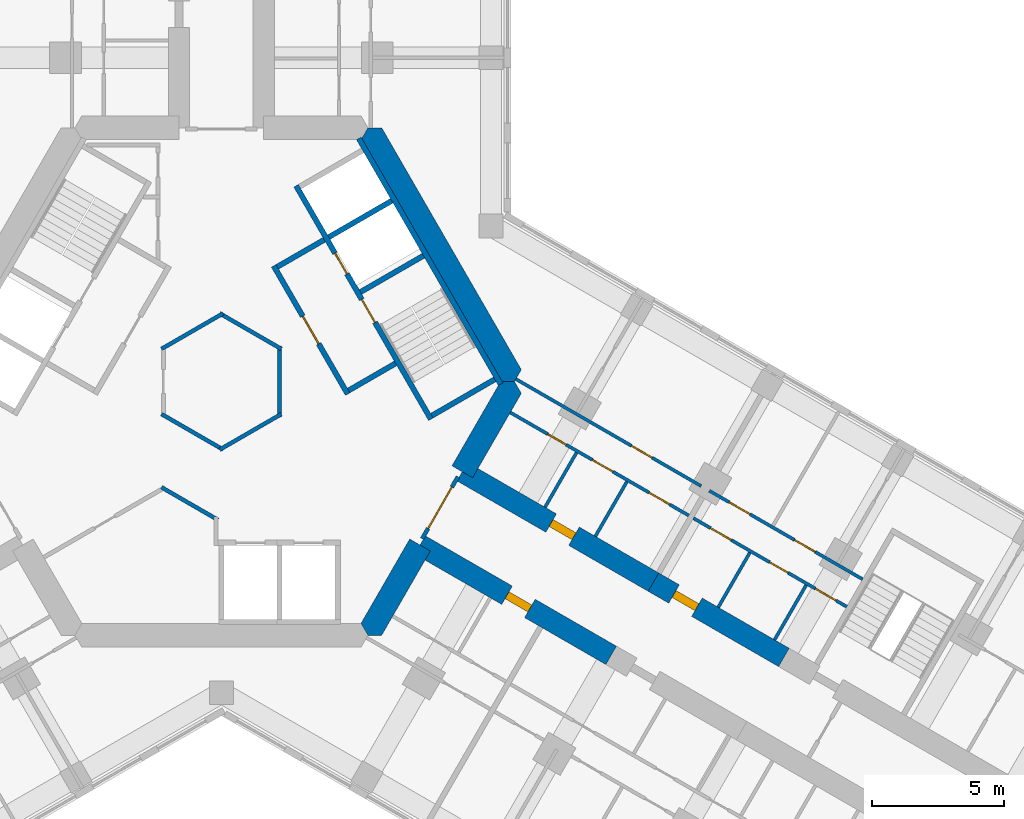
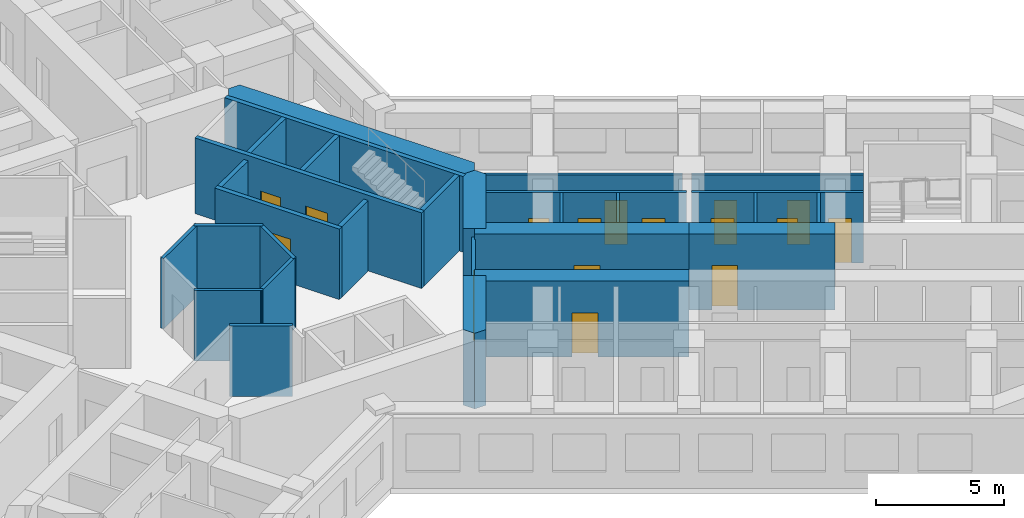
# One storey, part 15 of 19: 29 walls, 16 doors, 16 openings.
"""IFC4 building model written with IfcOpenShell, lengths in metres."""

import ifcopenshell
import ifcopenshell.guid

model = None  # the IFC model being written
_history = None  # IfcOwnerHistory: only IFC2X3 demands one
_inside = {}  # id of a spatial element -> (the spatial element, [elements in it])
_under = {}  # id of a project, library or spatial element -> (it, [spatial elements below it])
_declared = {}  # id of a project -> (the project, [libraries it declares])
_typed = {}  # id of a type object -> (the type object, [elements of that type])
_made_of = {}  # id of a material, layer set ... -> (it, [elements and type objects made of it])


def new_model(schema):
    """Start an empty IFC model of exactly this schema.

    Asked for "IFC4X3", IfcOpenShell would pick the latest addendum, in which some entities
    have other attributes; the version numbers below select the first issue.
    IFC2X3 requires an IfcOwnerHistory on every rooted entity: one is made here for all.
    """
    global model, _history
    if schema == "IFC4X3":
        model = ifcopenshell.file(schema_version=(4, 3, 0, 0))
    else:
        model = ifcopenshell.file(schema=schema)
    _inside.clear()
    _under.clear()
    _declared.clear()
    _typed.clear()
    _made_of.clear()
    _history = None
    if model.schema == "IFC2X3":
        org = make("IfcOrganization", Name="unknown")
        user = make(
            "IfcPersonAndOrganization",
            ThePerson=make("IfcPerson", FamilyName="unknown"),
            TheOrganization=org,
        )
        app = make(
            "IfcApplication",
            ApplicationDeveloper=org,
            Version="unknown",
            ApplicationFullName="unknown",
            ApplicationIdentifier="unknown",
        )
        _history = make(
            "IfcOwnerHistory",
            OwningUser=user,
            OwningApplication=app,
            ChangeAction="ADDED",
            CreationDate=0,
        )
    return model


def make(cls, **values):
    """One entity of the class cls with the attributes given. An attribute that is None is left unset."""
    return model.create_entity(
        cls, **{name: value for name, value in values.items() if value is not None}
    )


def rooted(cls, **values):
    """An entity with a GlobalId (a new one), such as an element, a storey or a relation."""
    return make(cls, GlobalId=ifcopenshell.guid.new(), OwnerHistory=_history, **values)


def si_unit(unit_type, name, prefix=None):
    """IfcSIUnit, for example si_unit("LENGTHUNIT", "METRE", prefix="MILLI")."""
    return make("IfcSIUnit", UnitType=unit_type, Prefix=prefix, Name=name)


def assignment(units):
    """IfcUnitAssignment: the units of a project."""
    return None if units is None else make("IfcUnitAssignment", Units=units)


def point(xyz):
    """IfcCartesianPoint."""
    return None if xyz is None else make("IfcCartesianPoint", Coordinates=xyz)


def direction(xyz):
    """IfcDirection."""
    return None if xyz is None else make("IfcDirection", DirectionRatios=xyz)


def frame(location, z_axis=None, x_axis=None):
    """IfcAxis2Placement3D, a coordinate frame: its origin and axes. An axis left out is left unset."""
    return make(
        "IfcAxis2Placement3D",
        Location=point(location),
        Axis=direction(z_axis),
        RefDirection=direction(x_axis),
    )


def frame_2d(location, x_axis=None):
    """IfcAxis2Placement2D, a coordinate frame in the plane: its origin and x axis."""
    return make(
        "IfcAxis2Placement2D", Location=point(location), RefDirection=direction(x_axis)
    )


def origin():
    """The frame at (0, 0, 0) with its axes left unset."""
    return frame((0.0, 0.0, 0.0))


def place(relative_to, where):
    """IfcLocalPlacement: puts the frame where relative to a parent placement (None: the world)."""
    return make(
        "IfcLocalPlacement", PlacementRelTo=relative_to, RelativePlacement=where
    )


def context(
    kind, dimensions, precision=None, world=None, true_north=None, identifier=None
):
    """IfcGeometricRepresentationContext, for example the 3D "Model" context."""
    return make(
        "IfcGeometricRepresentationContext",
        ContextIdentifier=identifier,
        ContextType=kind,
        CoordinateSpaceDimension=dimensions,
        Precision=precision,
        WorldCoordinateSystem=world,
        TrueNorth=true_north,
    )


def subcontext(parent, identifier, kind, view, scale=None):
    """IfcGeometricRepresentationSubContext, for example "Body" below "Model"."""
    return make(
        "IfcGeometricRepresentationSubContext",
        ContextIdentifier=identifier,
        ContextType=kind,
        ParentContext=parent,
        TargetScale=scale,
        TargetView=view,
    )


def project(units=None, contexts=None):
    """IfcProject with its units and contexts."""
    return rooted(
        "IfcProject",
        Name="project",
        RepresentationContexts=contexts,
        UnitsInContext=assignment(units),
    )


def spatial(cls, under=None, at=None, **own):
    """A site, building, storey or space (cls), placed at a placement, below another one or the project."""
    s = rooted(cls, ObjectPlacement=at, **own)
    if under is not None:
        _under.setdefault(under.id(), (under, []))[1].append(s)
    return s


def polyline(points):
    """IfcPolyline through the points."""
    return make("IfcPolyline", Points=[point(p) for p in points])


def profile(cls, at=None, kind="AREA", **sizes):
    """A parametric profile (cls). Its sizes go by their IFC names, for example OverallWidth=200.0."""
    return make(cls, ProfileType=kind, Position=at, **sizes)


def rectangle(**sizes):
    """IfcRectangleProfileDef."""
    return profile("IfcRectangleProfileDef", **sizes)


def outline(outer, holes=None, kind="AREA"):
    """IfcArbitraryClosedProfileDef: a profile drawn as a closed curve; with holes, ...WithVoids."""
    if holes is None:
        return make("IfcArbitraryClosedProfileDef", ProfileType=kind, OuterCurve=outer)
    return make(
        "IfcArbitraryProfileDefWithVoids",
        ProfileType=kind,
        OuterCurve=outer,
        InnerCurves=holes,
    )


def extrude(swept, where, along, depth):
    """IfcExtrudedAreaSolid: the profile swept, set in the frame where, extruded along a direction by depth."""
    return make(
        "IfcExtrudedAreaSolid",
        SweptArea=swept,
        Position=where,
        ExtrudedDirection=direction(along),
        Depth=depth,
    )


def shape(context_of_items, identifier, shape_type, items):
    """IfcShapeRepresentation: the items that make up one representation, for example the "Body"."""
    return make(
        "IfcShapeRepresentation",
        ContextOfItems=context_of_items,
        RepresentationIdentifier=identifier,
        RepresentationType=shape_type,
        Items=items,
    )


def material(Name=None, Category=None):
    """IfcMaterial."""
    return make("IfcMaterial", Name=Name, Category=Category)


def layer(
    of_material, thickness, ventilated=None, Name=None, Category=None, Priority=None
):
    """IfcMaterialLayer: one layer of a wall or slab, of a material (None: an air gap)."""
    return make(
        "IfcMaterialLayer",
        Material=of_material,
        LayerThickness=thickness,
        IsVentilated=ventilated,
        Name=Name,
        Category=Category,
        Priority=Priority,
    )


def layer_set(layers, Name=None):
    """IfcMaterialLayerSet."""
    return make("IfcMaterialLayerSet", MaterialLayers=layers, LayerSetName=Name)


def made_of(thing, what):
    """Note that an element or type object is made of a material, layer set ...; save() writes the relation."""
    if what is not None:
        _made_of.setdefault(what.id(), (what, []))[1].append(thing)
    return thing


def type_object(cls, material=None, **own):
    """A type object (cls), such as IfcWallType, which elements share."""
    return made_of(rooted(cls, **own), material)


def element(
    cls,
    number,
    at=None,
    inside=None,
    cuts=None,
    type_object=None,
    material=None,
    context=None,
    identifier="Body",
    shape_type=None,
    held_by="IfcProductDefinitionShape",
    body=None,
    shapes=None,
    **own,
):
    """One element of the class cls, such as IfcWall. Its Tag is "e" and its number.

    at: its placement. inside: the storey or other place that contains it. cuts: it is an
    opening in that element (IfcRelVoidsElement). A single representation is given by context,
    identifier, shape_type and body (its items); several are given by shapes. held_by: the class
    of the entity that holds the representations. save() writes the other relations.
    """
    e = rooted(cls, Tag="e%d" % number, ObjectPlacement=at, **own)
    if body is not None:
        shapes = [shape(context, identifier, shape_type, body)]
    if shapes is not None:
        e.Representation = make(held_by, Representations=shapes)
    if inside is not None:
        _inside.setdefault(inside.id(), (inside, []))[1].append(e)
    if cuts is not None:
        rooted(
            "IfcRelVoidsElement", RelatingBuildingElement=cuts, RelatedOpeningElement=e
        )
    if type_object is not None:
        _typed.setdefault(type_object.id(), (type_object, []))[1].append(e)
    return made_of(e, material)


def fill(opening, filler):
    """IfcRelFillsElement: the door or window that sits in an opening."""
    return rooted(
        "IfcRelFillsElement",
        RelatingOpeningElement=opening,
        RelatedBuildingElement=filler,
    )


def aggregate(whole, parts):
    """IfcRelAggregates: a whole, such as a stair, and the parts it consists of."""
    return rooted("IfcRelAggregates", RelatingObject=whole, RelatedObjects=parts)


def save(model, path):
    """Write the relations noted so far, then the file.

    IfcRelAggregates (storeys below a building ...), IfcRelContainedInSpatialStructure (elements
    in a storey), IfcRelDefinesByType, IfcRelAssociatesMaterial and IfcRelDeclares: one each for
    every whole, place, type object, material and project.
    """
    for whole, parts in _under.values():
        aggregate(whole, parts)
    for where, things in _inside.values():
        rooted(
            "IfcRelContainedInSpatialStructure",
            RelatedElements=things,
            RelatingStructure=where,
        )
    for kind, things in _typed.values():
        rooted("IfcRelDefinesByType", RelatedObjects=things, RelatingType=kind)
    for what, things in _made_of.values():
        rooted("IfcRelAssociatesMaterial", RelatedObjects=things, RelatingMaterial=what)
    for by, libraries in _declared.values():
        rooted("IfcRelDeclares", RelatingContext=by, RelatedDefinitions=libraries)
    model.write(path)


model = new_model("IFC4")

# Units and contexts
model_context = context("Model", 3, precision=1e-05, world=origin(), true_north=direction((0.0, 1.0)))
body_context = subcontext(model_context, "Body", "Model", "MODEL_VIEW")
ifc_project = project(units=[si_unit("LENGTHUNIT", "METRE"), si_unit("AREAUNIT", "SQUARE_METRE"), si_unit("VOLUMEUNIT", "CUBIC_METRE"), si_unit("PLANEANGLEUNIT", "RADIAN"), si_unit("MASSUNIT", "GRAM", prefix="KILO")], contexts=[model_context])

# Site, building, storey
site_placement = place(None, origin())
site = spatial("IfcSite", under=ifc_project, at=site_placement, CompositionType="ELEMENT")
building_placement = place(site_placement, origin())
building = spatial("IfcBuilding", under=site, at=building_placement, Name="Kosmar Iwan School Tower", CompositionType="ELEMENT")
storey_placement = place(building_placement, frame((0.0, 0.0, 161.60009765625)))
storey = spatial("IfcBuildingStorey", under=building, at=storey_placement, Name="L40", CompositionType="ELEMENT", Elevation=161.60009765625)

# Walls
ifc_material_1 = material(Name="Gypsum board on steel studs, fire-rated", Category="steel")
ifc_layer_1 = layer(ifc_material_1, 0.14990234375)
ifc_layer_set_1 = layer_set([ifc_layer_1], Name="Core room partition 150")
wall_type_1 = type_object("IfcWallType", Name="Core room partition 150", PredefinedType="PARTITIONING", material=ifc_layer_set_1)
wall_1_placement = place(storey_placement, frame((-2.264892578125, -4.00390625, 0.0), z_axis=(0.0, 0.0, 1.0), x_axis=(0.866016967894, -0.500014611105, 0.0)))
element("IfcWall", 1, at=wall_1_placement, inside=storey, type_object=wall_type_1, Name="Core room partition L40-CW6", PredefinedType="PARTITIONING", context=body_context, shape_type="SweptSolid", body=[
    extrude(rectangle(XDim=2.45947265625, YDim=0.14990234375, at=frame_2d((1.229736328125, 0.0))), origin(), (0.0, 0.0, 1.0), 3.349853515625),
])
for number, where, z_axis, x_axis, name in (
    (2, (2.264892578125, -1.232666015625, 0.0), (0.0, 0.0, 1.0), (-0.866011792348, -0.500023574959, 0.0), "Core room partition L40-CW8"),
    (3, (0.06494140625, -2.577880859375, 0.0), (0.0, 0.0, 1.0), (-0.866011792348, 0.500023574959, 0.0), "Core room partition L40-CW9"),
    (4, (-2.264892578125, 1.232666015625, 0.0), (0.0, 0.0, 1.0), (0.866011792348, 0.500023574959, 0.0), "Core room partition L40-CW11"),
    (5, (-0.06494140625, 2.577880859375, 0.0), (0.0, 0.0, 1.0), (0.866011792348, -0.500023574959, 0.0), "Core room partition L40-CW12"),
):
    element("IfcWall", number, at=place(storey_placement, frame(where, z_axis=z_axis, x_axis=x_axis)), inside=storey, type_object=wall_type_1, Name=name, PredefinedType="PARTITIONING", context=body_context, shape_type="SweptSolid", body=[
        extrude(rectangle(XDim=2.690185546875, YDim=0.14990234375, at=frame_2d((1.34521484375, 0.0))), origin(), (0.0, 0.0, 1.0), 3.349853515625),
    ])
wall_2_placement = place(storey_placement, frame((2.199951171875, 1.34521484375, 0.0), z_axis=(0.0, 0.0, 1.0), x_axis=(0.0, -1.0, 0.0)))
element("IfcWall", 6, at=wall_2_placement, inside=storey, type_object=wall_type_1, Name="Core room partition L40-CW13", PredefinedType="PARTITIONING", context=body_context, shape_type="SweptSolid", body=[
    extrude(rectangle(XDim=2.6904296875, YDim=0.14990234375, at=frame_2d((1.34521484375, 0.0))), origin(), (0.0, 0.0, 1.0), 3.349853515625),
])
ifc_material_2 = material(Name="Concrete C50/60", Category="concrete")
ifc_layer_2 = layer(ifc_material_2, 0.89990234375)
ifc_layer_set_2 = layer_set([ifc_layer_2], Name="Core wall 900")
wall_type_2 = type_object("IfcWallType", Name="Core wall 900", PredefinedType="SHEAR", material=ifc_layer_set_2)
wall_3_placement = place(storey_placement, origin())
element("IfcWall", 7, at=wall_3_placement, inside=storey, type_object=wall_type_2, Name="Core wall F030", PredefinedType="SHEAR", context=body_context, shape_type="SweptSolid", body=[
    extrude(outline(polyline([(10.5654296875, 0.0), (11.085205078125, 0.0), (11.344970703125, 0.449951171875), (6.062255859375, 9.60009765625), (5.54248046875, 9.60009765625), (5.28271484375, 9.14990234375), (10.5654296875, 0.0)])), origin(), (0.0, 0.0, 1.0), 3.599853515625),
])
wall_4_placement = place(storey_placement, origin())
element("IfcWall", 8, at=wall_4_placement, inside=storey, type_object=wall_type_2, Name="Core wall F330a", PredefinedType="SHEAR", context=body_context, shape_type="SweptSolid", body=[
    extrude(outline(polyline([(5.54248046875, -9.60009765625), (6.062255859375, -9.60009765625), (7.903564453125, -6.41064453125), (7.1240234375, -5.960693359375), (5.28271484375, -9.14990234375), (5.54248046875, -9.60009765625)])), origin(), (0.0, 0.0, 1.0), 3.599853515625),
])
wall_5_placement = place(storey_placement, origin())
element("IfcWall", 9, at=wall_5_placement, inside=storey, type_object=wall_type_2, Name="Core wall F330b", PredefinedType="SHEAR", context=body_context, shape_type="SweptSolid", body=[
    extrude(outline(polyline([(9.503662109375, -3.639404296875), (11.344970703125, -0.449951171875), (11.085205078125, 0.0), (10.5654296875, 0.0), (8.72412109375, -3.189453125), (9.503662109375, -3.639404296875)])), origin(), (0.0, 0.0, 1.0), 3.599853515625),
])

# Wall, opening, door
ifc_material_3 = material(Name="Concrete C50/60", Category="concrete")
ifc_layer_3 = layer(ifc_material_3, 0.800048828125)
ifc_layer_set_3 = layer_set([ifc_layer_3], Name="Corridor buttress wall 800")
wall_type_3 = type_object("IfcWallType", Name="Corridor buttress wall 800", PredefinedType="SHEAR", material=ifc_layer_set_3)
wall_6_placement = place(storey_placement, frame((9.11376953125, -3.414306640625, 0.0), z_axis=(0.0, 0.0, 1.0), x_axis=(0.866026859388, -0.499997478812, 0.0)))
wall_6 = element("IfcWall", 10, at=wall_6_placement, inside=storey, type_object=wall_type_3, Name="Corridor wall CL", PredefinedType="SHEAR", context=body_context, shape_type="SweptSolid", body=[
    extrude(rectangle(XDim=8.35009765625, YDim=0.800048828125, at=frame_2d((4.175048828125, 0.0))), origin(), (0.0, 0.0, 1.0), 3.599853515625),
])
opening_1_placement = place(wall_6_placement, frame((3.8798828125, 0.0, 0.0)))
opening_1 = element("IfcOpeningElement", 11, at=opening_1_placement, cuts=wall_6, Name="Opening D1", PredefinedType="OPENING", context=body_context, shape_type="SweptSolid", body=[
    extrude(rectangle(XDim=1.0, YDim=2.10009765625, at=frame_2d((0.5, 1.050048828125))), frame((0.0, 0.412109375, 0.0), z_axis=(0.0, -1.0, 0.0), x_axis=(1.0, 0.0, 0.0)), (0.0, 0.0, 1.0), 0.823974609375),
])
ifc_material_4 = material(Name="Timber fire door in steel frame", Category="steel")
door_type_1 = type_object("IfcDoorType", Name="Flat entrance door 1000x2100", OperationType="SINGLE_SWING_LEFT", PredefinedType="DOOR", material=ifc_material_4)
door_1_placement = place(opening_1_placement, origin())
door_1 = element("IfcDoor", 12, at=door_1_placement, inside=storey, type_object=door_type_1, Name="Flat L40-CL1 entrance door", OperationType="SINGLE_SWING_LEFT", OverallHeight=2.10009765625, OverallWidth=1.0, PredefinedType="DOOR", context=body_context, shape_type="SweptSolid", body=[
    extrude(rectangle(XDim=1.0, YDim=2.10009765625, at=frame_2d((0.5, 1.050048828125))), frame((0.0, 0.14990234375, 0.0), z_axis=(0.0, -1.0, 0.0), x_axis=(1.0, 0.0, 0.0)), (0.0, 0.0, 1.0), 0.300048828125),
])
fill(opening_1, door_1)

wall_7_placement = place(storey_placement, frame((16.34521484375, -7.58935546875, 0.0), z_axis=(0.0, 0.0, 1.0), x_axis=(0.866015111908, -0.50001782563, 0.0)))
wall_7 = element("IfcWall", 13, at=wall_7_placement, inside=storey, type_object=wall_type_3, Name="Corridor wall CL bay 2", PredefinedType="SHEAR", context=body_context, shape_type="SweptSolid", body=[
    extrude(rectangle(XDim=5.699951171875, YDim=0.800048828125, at=frame_2d((2.85009765625, 0.0))), origin(), (0.0, 0.0, 1.0), 3.599853515625),
])
opening_2_placement = place(wall_7_placement, frame((0.89990234375, 0.0, 0.0)))
opening_2 = element("IfcOpeningElement", 14, at=opening_2_placement, cuts=wall_7, Name="Opening D1", PredefinedType="OPENING", context=body_context, shape_type="SweptSolid", body=[
    extrude(rectangle(XDim=1.0, YDim=2.10009765625, at=frame_2d((0.5, 1.050048828125))), frame((0.0, 0.412109375, 0.0), z_axis=(0.0, -1.0, 0.0), x_axis=(1.0, 0.0, 0.0)), (0.0, 0.0, 1.0), 0.823974609375),
])
door_2_placement = place(opening_2_placement, origin())
door_2 = element("IfcDoor", 15, at=door_2_placement, inside=storey, type_object=door_type_1, Name="Flat L40-CL2 entrance door", OperationType="SINGLE_SWING_RIGHT", OverallHeight=2.10009765625, OverallWidth=1.0, PredefinedType="DOOR", context=body_context, shape_type="SweptSolid", body=[
    extrude(rectangle(XDim=1.0, YDim=2.10009765625, at=frame_2d((0.5, 1.050048828125))), frame((0.0, 0.14990234375, 0.0), z_axis=(0.0, -1.0, 0.0), x_axis=(1.0, 0.0, 0.0)), (0.0, 0.0, 1.0), 0.300048828125),
])
fill(opening_2, door_2)

wall_8_placement = place(storey_placement, frame((7.513916015625, -6.185546875, 0.0), z_axis=(0.0, 0.0, 1.0), x_axis=(0.866019549707, -0.500010139422, 0.0)))
wall_8 = element("IfcWall", 16, at=wall_8_placement, inside=storey, type_object=wall_type_3, Name="Corridor wall CR", PredefinedType="SHEAR", context=body_context, shape_type="SweptSolid", body=[
    extrude(rectangle(XDim=8.349853515625, YDim=0.800048828125, at=frame_2d((4.1748046875, 0.0))), origin(), (0.0, 0.0, 1.0), 3.599853515625),
])
opening_3_placement = place(wall_8_placement, frame((3.800048828125, 0.0, 0.0)))
opening_3 = element("IfcOpeningElement", 17, at=opening_3_placement, cuts=wall_8, Name="Opening D1", PredefinedType="OPENING", context=body_context, shape_type="SweptSolid", body=[
    extrude(rectangle(XDim=1.0, YDim=2.10009765625, at=frame_2d((0.5, 1.050048828125))), frame((0.0, 0.412109375, 0.0), z_axis=(0.0, -1.0, 0.0), x_axis=(1.0, 0.0, 0.0)), (0.0, 0.0, 1.0), 0.823974609375),
])
door_3_placement = place(opening_3_placement, origin())
door_3 = element("IfcDoor", 18, at=door_3_placement, inside=storey, type_object=door_type_1, Name="Flat L40-CR1 entrance door", OperationType="SINGLE_SWING_RIGHT", OverallHeight=2.10009765625, OverallWidth=1.0, PredefinedType="DOOR", context=body_context, shape_type="SweptSolid", body=[
    extrude(rectangle(XDim=1.0, YDim=2.10009765625, at=frame_2d((0.5, 1.050048828125))), frame((0.0, 0.14990234375, 0.0), z_axis=(0.0, -1.0, 0.0), x_axis=(1.0, 0.0, 0.0)), (0.0, 0.0, 1.0), 0.300048828125),
])
fill(opening_3, door_3)

ifc_material_5 = material(Name="Steel framed glazed screen", Category="steel")
ifc_layer_4 = layer(ifc_material_5, 0.14990234375)
ifc_layer_set_4 = layer_set([ifc_layer_4], Name="Corridor screen wall 150")
wall_type_4 = type_object("IfcWallType", Name="Corridor screen wall 150", PredefinedType="PARTITIONING", material=ifc_layer_set_4)
wall_9_placement = place(storey_placement, frame((7.595458984375, -5.944091796875, 0.0), z_axis=(0.0, 0.0, 1.0), x_axis=(0.500048589285, 0.86599734893, 0.0)))
wall_9 = element("IfcWall", 19, at=wall_9_placement, inside=storey, type_object=wall_type_4, Name="Corridor screen C L40", PredefinedType="PARTITIONING", context=body_context, shape_type="SweptSolid", body=[
    extrude(rectangle(XDim=2.699951171875, YDim=0.14990234375, at=frame_2d((1.35009765625, 0.0))), origin(), (0.0, 0.0, 1.0), 3.349853515625),
])
opening_4_placement = place(wall_9_placement, frame((0.449951171875, 0.0, 0.0)))
opening_4 = element("IfcOpeningElement", 20, at=opening_4_placement, cuts=wall_9, Name="Opening D9", PredefinedType="OPENING", context=body_context, shape_type="SweptSolid", body=[
    extrude(rectangle(XDim=1.800048828125, YDim=2.10009765625, at=frame_2d((0.89990234375, 1.050048828125))), frame((0.0, 0.0869140625, 0.0), z_axis=(0.0, -1.0, 0.0), x_axis=(1.0, 0.0, 0.0)), (0.0, 0.0, 1.0), 0.173828125),
])
ifc_material_6 = material(Name="Steel framed glazed smoke door", Category="steel")
door_type_2 = type_object("IfcDoorType", Name="Corridor smoke door pair 1800x2100", OperationType="DOUBLE_DOOR_DOUBLE_SWING", PredefinedType="DOOR", material=ifc_material_6)
door_4_placement = place(opening_4_placement, origin())
door_4 = element("IfcDoor", 21, at=door_4_placement, inside=storey, type_object=door_type_2, Name="Corridor doors C L40", OperationType="DOUBLE_DOOR_DOUBLE_SWING", OverallHeight=2.10009765625, OverallWidth=1.800048828125, PredefinedType="DOOR", context=body_context, shape_type="SweptSolid", body=[
    extrude(rectangle(XDim=1.800048828125, YDim=2.10009765625, at=frame_2d((0.89990234375, 1.050048828125))), frame((0.0, 0.02490234375, 0.0), z_axis=(0.0, -1.0, 0.0), x_axis=(1.0, 0.0, 0.0)), (0.0, 0.0, 1.0), 0.050048828125),
])
fill(opening_4, door_4)

# Wall, openings, doors
ifc_material_7 = material(Name="Gypsum board on steel studs", Category="steel")
ifc_layer_5 = layer(ifc_material_7, 0.1201171875)
ifc_layer_set_5 = layer_set([ifc_layer_5], Name="Dwelling partition 120")
wall_type_5 = type_object("IfcWallType", Name="Dwelling partition 120", PredefinedType="PARTITIONING", material=ifc_layer_set_5)
wall_10_placement = place(storey_placement, frame((10.928466796875, -1.171142578125, 0.0), z_axis=(0.0, 0.0, 1.0), x_axis=(0.866021400173, -0.500006934395, 0.0)))
wall_10 = element("IfcWall", 22, at=wall_10_placement, inside=storey, type_object=wall_type_5, Name="Partition L40-CL1-W1", PredefinedType="PARTITIONING", context=body_context, shape_type="SweptSolid", body=[
    extrude(rectangle(XDim=7.80029296875, YDim=0.1201171875, at=frame_2d((3.900146484375, 0.0))), origin(), (0.0, 0.0, 1.0), 3.349853515625),
])
opening_5_placement = place(wall_10_placement, frame((1.639892578125, 0.0, 0.0)))
opening_5 = element("IfcOpeningElement", 23, at=opening_5_placement, cuts=wall_10, Name="Opening D3", PredefinedType="OPENING", context=body_context, shape_type="SweptSolid", body=[
    extrude(rectangle(XDim=0.800048828125, YDim=2.10009765625, at=frame_2d((0.39990234375, 1.050048828125))), frame((0.0, 0.072021484375, 0.0), z_axis=(0.0, -1.0, 0.0), x_axis=(1.0, 0.0, 0.0)), (0.0, 0.0, 1.0), 0.14404296875),
])
opening_6_placement = place(wall_10_placement, frame((3.580078125, 0.0, 0.0)))
opening_6 = element("IfcOpeningElement", 24, at=opening_6_placement, cuts=wall_10, Name="Opening D2", PredefinedType="OPENING", context=body_context, shape_type="SweptSolid", body=[
    extrude(rectangle(XDim=0.89990234375, YDim=2.10009765625, at=frame_2d((0.449951171875, 1.050048828125))), frame((0.0, 0.072021484375, 0.0), z_axis=(0.0, -1.0, 0.0), x_axis=(1.0, 0.0, 0.0)), (0.0, 0.0, 1.0), 0.14404296875),
])
opening_7_placement = place(wall_10_placement, frame((6.06494140625, 0.0, 0.0)))
opening_7 = element("IfcOpeningElement", 25, at=opening_7_placement, cuts=wall_10, Name="Opening D2", PredefinedType="OPENING", context=body_context, shape_type="SweptSolid", body=[
    extrude(rectangle(XDim=0.89990234375, YDim=2.10009765625, at=frame_2d((0.449951171875, 1.050048828125))), frame((0.0, 0.072021484375, 0.0), z_axis=(0.0, -1.0, 0.0), x_axis=(1.0, 0.0, 0.0)), (0.0, 0.0, 1.0), 0.14404296875),
])
ifc_material_8 = material(Name="Timber door in timber frame", Category="wood")
door_type_3 = type_object("IfcDoorType", Name="Internal door 900x2100", OperationType="SINGLE_SWING_LEFT", PredefinedType="DOOR", material=ifc_material_8)
door_5_placement = place(opening_6_placement, origin())
door_5 = element("IfcDoor", 26, at=door_5_placement, inside=storey, type_object=door_type_3, Name="Entrance hall door L40-CL1-S2", OperationType="SINGLE_SWING_RIGHT", OverallHeight=2.10009765625, OverallWidth=0.89990234375, PredefinedType="DOOR", context=body_context, shape_type="SweptSolid", body=[
    extrude(rectangle(XDim=0.89990234375, YDim=2.10009765625, at=frame_2d((0.449951171875, 1.050048828125))), frame((0.0, 0.02490234375, 0.0), z_axis=(0.0, -1.0, 0.0), x_axis=(1.0, 0.0, 0.0)), (0.0, 0.0, 1.0), 0.050048828125),
])
fill(opening_6, door_5)
door_6_placement = place(opening_7_placement, origin())
door_6 = element("IfcDoor", 27, at=door_6_placement, inside=storey, type_object=door_type_3, Name="Pantry door L40-CL1-S3", OperationType="SINGLE_SWING_RIGHT", OverallHeight=2.10009765625, OverallWidth=0.89990234375, PredefinedType="DOOR", context=body_context, shape_type="SweptSolid", body=[
    extrude(rectangle(XDim=0.89990234375, YDim=2.10009765625, at=frame_2d((0.449951171875, 1.050048828125))), frame((0.0, 0.02490234375, 0.0), z_axis=(0.0, -1.0, 0.0), x_axis=(1.0, 0.0, 0.0)), (0.0, 0.0, 1.0), 0.050048828125),
])
fill(opening_7, door_6)
ifc_material_9 = material(Name="Timber door in timber frame", Category="wood")
door_type_4 = type_object("IfcDoorType", Name="Sanitary room door 800x2100", OperationType="SINGLE_SWING_LEFT", PredefinedType="DOOR", material=ifc_material_9)
door_7_placement = place(opening_5_placement, origin())
door_7 = element("IfcDoor", 28, at=door_7_placement, inside=storey, type_object=door_type_4, Name="Bathroom door L40-CL1-S1", OperationType="SINGLE_SWING_LEFT", OverallHeight=2.10009765625, OverallWidth=0.800048828125, PredefinedType="DOOR", context=body_context, shape_type="SweptSolid", body=[
    extrude(rectangle(XDim=0.800048828125, YDim=2.10009765625, at=frame_2d((0.39990234375, 1.050048828125))), frame((0.0, 0.02490234375, 0.0), z_axis=(0.0, -1.0, 0.0), x_axis=(1.0, 0.0, 0.0)), (0.0, 0.0, 1.0), 0.050048828125),
])
fill(opening_5, door_7)

# Wall, opening, door
wall_11_placement = place(storey_placement, frame((11.138916015625, 0.093017578125, 0.0), z_axis=(0.0, 0.0, 1.0), x_axis=(0.866017937352, -0.500012932018, 0.0)))
wall_11 = element("IfcWall", 29, at=wall_11_placement, inside=storey, type_object=wall_type_5, Name="Partition L40-CL1-W2", PredefinedType="PARTITIONING", context=body_context, shape_type="SweptSolid", body=[
    extrude(rectangle(XDim=8.099853515625, YDim=0.1201171875, at=frame_2d((4.0498046875, 0.0))), origin(), (0.0, 0.0, 1.0), 3.349853515625),
])
opening_8_placement = place(wall_11_placement, frame((5.050048828125, 0.0, 0.0)))
opening_8 = element("IfcOpeningElement", 30, at=opening_8_placement, cuts=wall_11, Name="Opening D2", PredefinedType="OPENING", context=body_context, shape_type="SweptSolid", body=[
    extrude(rectangle(XDim=0.89990234375, YDim=2.10009765625, at=frame_2d((0.449951171875, 1.050048828125))), frame((0.0, 0.072021484375, 0.0), z_axis=(0.0, -1.0, 0.0), x_axis=(1.0, 0.0, 0.0)), (0.0, 0.0, 1.0), 0.14404296875),
])
door_8_placement = place(opening_8_placement, origin())
door_8 = element("IfcDoor", 31, at=door_8_placement, inside=storey, type_object=door_type_3, Name="Studio living room door L40-CL1-F2", OperationType="SINGLE_SWING_RIGHT", OverallHeight=2.10009765625, OverallWidth=0.89990234375, PredefinedType="DOOR", context=body_context, shape_type="SweptSolid", body=[
    extrude(rectangle(XDim=0.89990234375, YDim=2.10009765625, at=frame_2d((0.449951171875, 1.050048828125))), frame((0.0, 0.02490234375, 0.0), z_axis=(0.0, -1.0, 0.0), x_axis=(1.0, 0.0, 0.0)), (0.0, 0.0, 1.0), 0.050048828125),
])
fill(opening_8, door_8)

# Walls
for number, where, z_axis, x_axis, name in (
    (32, (12.240966796875, -4.758056640625, 0.0), (0.0, 0.0, 1.0), (0.500017192868, 0.86601547725, 0.0), "Partition L40-CL1-Y1"),
    (33, (14.146240234375, -5.85791015625, 0.0), (0.0, 0.0, 1.0), (0.500017192868, 0.86601547725, 0.0), "Partition L40-CL1-Y2"),
):
    element("IfcWall", number, at=place(storey_placement, frame(where, z_axis=z_axis, x_axis=x_axis)), inside=storey, type_object=wall_type_5, Name=name, PredefinedType="PARTITIONING", context=body_context, shape_type="SweptSolid", body=[
        extrude(rectangle(XDim=2.39013671875, YDim=0.1201171875, at=frame_2d((1.195068359375, 0.0))), origin(), (0.0, 0.0, 1.0), 3.349853515625),
    ])

# Wall, openings, doors
wall_12_placement = place(storey_placement, frame((17.856689453125, -5.171142578125, 0.0), z_axis=(0.0, 0.0, 1.0), x_axis=(0.866023571113, -0.500003174267, 0.0)))
wall_12 = element("IfcWall", 34, at=wall_12_placement, inside=storey, type_object=wall_type_5, Name="Partition L40-CL2-W1", PredefinedType="PARTITIONING", context=body_context, shape_type="SweptSolid", body=[
    extrude(rectangle(XDim=6.7001953125, YDim=0.1201171875, at=frame_2d((3.35009765625, 0.0))), origin(), (0.0, 0.0, 1.0), 3.349853515625),
])
opening_9_placement = place(wall_12_placement, frame((0.75, 0.0, 0.0)))
opening_9 = element("IfcOpeningElement", 35, at=opening_9_placement, cuts=wall_12, Name="Opening D2", PredefinedType="OPENING", context=body_context, shape_type="SweptSolid", body=[
    extrude(rectangle(XDim=0.89990234375, YDim=2.10009765625, at=frame_2d((0.449951171875, 1.050048828125))), frame((0.0, 0.072021484375, 0.0), z_axis=(0.0, -1.0, 0.0), x_axis=(1.0, 0.0, 0.0)), (0.0, 0.0, 1.0), 0.14404296875),
])
opening_10_placement = place(wall_12_placement, frame((3.330078125, 0.0, 0.0)))
opening_10 = element("IfcOpeningElement", 36, at=opening_10_placement, cuts=wall_12, Name="Opening D3", PredefinedType="OPENING", context=body_context, shape_type="SweptSolid", body=[
    extrude(rectangle(XDim=0.800048828125, YDim=2.10009765625, at=frame_2d((0.39990234375, 1.050048828125))), frame((0.0, 0.072021484375, 0.0), z_axis=(0.0, -1.0, 0.0), x_axis=(1.0, 0.0, 0.0)), (0.0, 0.0, 1.0), 0.14404296875),
])
opening_11_placement = place(wall_12_placement, frame((5.330078125, 0.0, 0.0)))
opening_11 = element("IfcOpeningElement", 37, at=opening_11_placement, cuts=wall_12, Name="Opening D2", PredefinedType="OPENING", context=body_context, shape_type="SweptSolid", body=[
    extrude(rectangle(XDim=0.89990234375, YDim=2.10009765625, at=frame_2d((0.449951171875, 1.050048828125))), frame((0.0, 0.072021484375, 0.0), z_axis=(0.0, -1.0, 0.0), x_axis=(1.0, 0.0, 0.0)), (0.0, 0.0, 1.0), 0.14404296875),
])
door_9_placement = place(opening_9_placement, origin())
door_9 = element("IfcDoor", 38, at=door_9_placement, inside=storey, type_object=door_type_3, Name="Entrance hall door L40-CL2-S1", OperationType="SINGLE_SWING_LEFT", OverallHeight=2.10009765625, OverallWidth=0.89990234375, PredefinedType="DOOR", context=body_context, shape_type="SweptSolid", body=[
    extrude(rectangle(XDim=0.89990234375, YDim=2.10009765625, at=frame_2d((0.449951171875, 1.050048828125))), frame((0.0, 0.02490234375, 0.0), z_axis=(0.0, -1.0, 0.0), x_axis=(1.0, 0.0, 0.0)), (0.0, 0.0, 1.0), 0.050048828125),
])
fill(opening_9, door_9)
door_10_placement = place(opening_11_placement, frame((0.89990234375, 0.0, 0.0), z_axis=(0.0, 0.0, 1.0), x_axis=(-1.0, 0.0, 0.0)))
door_10 = element("IfcDoor", 39, at=door_10_placement, inside=storey, type_object=door_type_3, Name="Pantry door L40-CL2-S3", OperationType="SINGLE_SWING_LEFT", OverallHeight=2.10009765625, OverallWidth=0.89990234375, PredefinedType="DOOR", context=body_context, shape_type="SweptSolid", body=[
    extrude(rectangle(XDim=0.89990234375, YDim=2.10009765625, at=frame_2d((0.449951171875, 1.050048828125))), frame((0.0, 0.02490234375, 0.0), z_axis=(0.0, -1.0, 0.0), x_axis=(1.0, 0.0, 0.0)), (0.0, 0.0, 1.0), 0.050048828125),
])
fill(opening_11, door_10)
door_11_placement = place(opening_10_placement, origin())
door_11 = element("IfcDoor", 40, at=door_11_placement, inside=storey, type_object=door_type_4, Name="Bathroom door L40-CL2-S2", OperationType="SINGLE_SWING_RIGHT", OverallHeight=2.10009765625, OverallWidth=0.800048828125, PredefinedType="DOOR", context=body_context, shape_type="SweptSolid", body=[
    extrude(rectangle(XDim=0.800048828125, YDim=2.10009765625, at=frame_2d((0.39990234375, 1.050048828125))), frame((0.0, 0.02490234375, 0.0), z_axis=(0.0, -1.0, 0.0), x_axis=(1.0, 0.0, 0.0)), (0.0, 0.0, 1.0), 0.050048828125),
])
fill(opening_10, door_11)

wall_13_placement = place(storey_placement, frame((18.456787109375, -4.1318359375, 0.0), z_axis=(0.0, 0.0, 1.0), x_axis=(0.866014461049, -0.500018952895, 0.0)))
wall_13 = element("IfcWall", 41, at=wall_13_placement, inside=storey, type_object=wall_type_5, Name="Partition L40-CL2-W2", PredefinedType="PARTITIONING", context=body_context, shape_type="SweptSolid", body=[
    extrude(rectangle(XDim=6.699951171875, YDim=0.1201171875, at=frame_2d((3.35009765625, 0.0))), origin(), (0.0, 0.0, 1.0), 3.349853515625),
])
opening_12_placement = place(wall_13_placement, frame((0.875, 0.0, 0.0)))
opening_12 = element("IfcOpeningElement", 42, at=opening_12_placement, cuts=wall_13, Name="Opening D2", PredefinedType="OPENING", context=body_context, shape_type="SweptSolid", body=[
    extrude(rectangle(XDim=0.89990234375, YDim=2.10009765625, at=frame_2d((0.449951171875, 1.050048828125))), frame((0.0, 0.072021484375, 0.0), z_axis=(0.0, -1.0, 0.0), x_axis=(1.0, 0.0, 0.0)), (0.0, 0.0, 1.0), 0.14404296875),
])
opening_13_placement = place(wall_13_placement, frame((3.72509765625, 0.0, 0.0)))
opening_13 = element("IfcOpeningElement", 43, at=opening_13_placement, cuts=wall_13, Name="Opening D2", PredefinedType="OPENING", context=body_context, shape_type="SweptSolid", body=[
    extrude(rectangle(XDim=0.89990234375, YDim=2.10009765625, at=frame_2d((0.449951171875, 1.050048828125))), frame((0.0, 0.072021484375, 0.0), z_axis=(0.0, -1.0, 0.0), x_axis=(1.0, 0.0, 0.0)), (0.0, 0.0, 1.0), 0.14404296875),
])
door_12_placement = place(opening_12_placement, origin())
door_12 = element("IfcDoor", 44, at=door_12_placement, inside=storey, type_object=door_type_3, Name="Family room and kitchen door L40-CL2-F1", OperationType="SINGLE_SWING_RIGHT", OverallHeight=2.10009765625, OverallWidth=0.89990234375, PredefinedType="DOOR", context=body_context, shape_type="SweptSolid", body=[
    extrude(rectangle(XDim=0.89990234375, YDim=2.10009765625, at=frame_2d((0.449951171875, 1.050048828125))), frame((0.0, 0.02490234375, 0.0), z_axis=(0.0, -1.0, 0.0), x_axis=(1.0, 0.0, 0.0)), (0.0, 0.0, 1.0), 0.050048828125),
])
fill(opening_12, door_12)
door_13_placement = place(opening_13_placement, origin())
door_13 = element("IfcDoor", 45, at=door_13_placement, inside=storey, type_object=door_type_3, Name="Bedroom 1 door L40-CL2-F2", OperationType="SINGLE_SWING_LEFT", OverallHeight=2.10009765625, OverallWidth=0.89990234375, PredefinedType="DOOR", context=body_context, shape_type="SweptSolid", body=[
    extrude(rectangle(XDim=0.89990234375, YDim=2.10009765625, at=frame_2d((0.449951171875, 1.050048828125))), frame((0.0, 0.02490234375, 0.0), z_axis=(0.0, -1.0, 0.0), x_axis=(1.0, 0.0, 0.0)), (0.0, 0.0, 1.0), 0.050048828125),
])
fill(opening_13, door_13)

# Walls
for number, where, z_axis, x_axis, name in (
    (46, (18.796875, -8.54296875, 0.0), (0.0, 0.0, 1.0), (0.500017192868, 0.86601547725, 0.0), "Partition L40-CL2-Y1"),
    (47, (20.92724609375, -9.77294921875, 0.0), (0.0, 0.0, 1.0), (0.500017192868, 0.86601547725, 0.0), "Partition L40-CL2-Y2"),
):
    element("IfcWall", number, at=place(storey_placement, frame(where, z_axis=z_axis, x_axis=x_axis)), inside=storey, type_object=wall_type_5, Name=name, PredefinedType="PARTITIONING", context=body_context, shape_type="SweptSolid", body=[
        extrude(rectangle(XDim=2.39013671875, YDim=0.1201171875, at=frame_2d((1.195068359375, 0.0))), origin(), (0.0, 0.0, 1.0), 3.349853515625),
    ])

# Wall, opening, door
ifc_material_10 = material(Name="Concrete block masonry", Category="masonry")
ifc_layer_6 = layer(ifc_material_10, 0.199951171875)
ifc_layer_set_6 = layer_set([ifc_layer_6], Name="Fire lobby wall 200")
wall_type_6 = type_object("IfcWallType", Name="Fire lobby wall 200", PredefinedType="PARTITIONING", material=ifc_layer_set_6)
wall_14_placement = place(storey_placement, frame((4.777587890625, -0.474853515625, 0.0), z_axis=(0.0, 0.0, 1.0), x_axis=(-0.500016814911, 0.866015695474, 0.0)))
wall_14 = element("IfcWall", 48, at=wall_14_placement, inside=storey, type_object=wall_type_6, Name="Firefighting lobby wall ST1", PredefinedType="PARTITIONING", context=body_context, shape_type="SweptSolid", body=[
    extrude(rectangle(XDim=5.599853515625, YDim=0.199951171875, at=frame_2d((2.7998046875, 0.0))), origin(), (0.0, 0.0, 1.0), 3.349853515625),
])
opening_14_placement = place(wall_14_placement, frame((2.199951171875, 0.0, 0.0)))
opening_14 = element("IfcOpeningElement", 49, at=opening_14_placement, cuts=wall_14, Name="Opening D7", PredefinedType="OPENING", context=body_context, shape_type="SweptSolid", body=[
    extrude(rectangle(XDim=1.199951171875, YDim=2.10009765625, at=frame_2d((0.60009765625, 1.050048828125))), frame((0.0, 0.112060546875, 0.0), z_axis=(0.0, -1.0, 0.0), x_axis=(1.0, 0.0, 0.0)), (0.0, 0.0, 1.0), 0.223876953125),
])
ifc_material_11 = material(Name="Steel fire door", Category="steel")
door_type_5 = type_object("IfcDoorType", Name="Fire lobby door 1200x2100", OperationType="SINGLE_SWING_LEFT", PredefinedType="DOOR", material=ifc_material_11)
door_14_placement = place(opening_14_placement, origin())
door_14 = element("IfcDoor", 50, at=door_14_placement, inside=storey, type_object=door_type_5, Name="Firefighting lobby door ST1 L40", OperationType="SINGLE_SWING_LEFT", OverallHeight=2.10009765625, OverallWidth=1.199951171875, PredefinedType="DOOR", context=body_context, shape_type="SweptSolid", body=[
    extrude(rectangle(XDim=1.199951171875, YDim=2.10009765625, at=frame_2d((0.60009765625, 1.050048828125))), frame((0.0, 0.02490234375, 0.0), z_axis=(0.0, -1.0, 0.0), x_axis=(1.0, 0.0, 0.0)), (0.0, 0.0, 1.0), 0.050048828125),
])
fill(opening_14, door_14)

# Walls
wall_15_placement = place(storey_placement, frame((4.814208984375, -0.33837890625, 0.0), z_axis=(0.0, 0.0, 1.0), x_axis=(0.865969381856, 0.500097020274, 0.0)))
element("IfcWall", 51, at=wall_15_placement, inside=storey, type_object=wall_type_6, Name="Firefighting lobby wall ST1", PredefinedType="PARTITIONING", context=body_context, shape_type="SweptSolid", body=[
    extrude(rectangle(XDim=2.0498046875, YDim=0.199951171875, at=frame_2d((1.02490234375, 0.0))), origin(), (0.0, 0.0, 1.0), 3.349853515625),
])
wall_16_placement = place(storey_placement, frame((2.114013671875, 4.33837890625, 0.0), z_axis=(0.0, 0.0, 1.0), x_axis=(0.866050731258, 0.499956128963, 0.0)))
element("IfcWall", 52, at=wall_16_placement, inside=storey, type_object=wall_type_6, Name="Firefighting lobby wall ST1", PredefinedType="PARTITIONING", context=body_context, shape_type="SweptSolid", body=[
    extrude(rectangle(XDim=2.050048828125, YDim=0.199951171875, at=frame_2d((1.02490234375, 0.0))), origin(), (0.0, 0.0, 1.0), 3.349853515625),
])

# Wall, openings, doors
ifc_material_12 = material(Name="Concrete C50/60", Category="concrete")
ifc_layer_7 = layer(ifc_material_12, 0.199951171875)
ifc_layer_set_7 = layer_set([ifc_layer_7], Name="Lift shaft wall 200")
wall_type_7 = type_object("IfcWallType", Name="Lift shaft wall 200", PredefinedType="SHEAR", material=ifc_layer_set_7)
wall_17_placement = place(storey_placement, frame((7.926025390625, -1.42822265625, 0.0), z_axis=(0.0, 0.0, 1.0), x_axis=(-0.499998023675, 0.866026544813, 0.0)))
wall_17 = element("IfcWall", 53, at=wall_17_placement, inside=storey, type_object=wall_type_7, Name="Lift and stair front wall AC", PredefinedType="SHEAR", context=body_context, shape_type="SweptSolid", body=[
    extrude(rectangle(XDim=10.19970703125, YDim=0.199951171875, at=frame_2d((5.099853515625, 0.0))), origin(), (0.0, 0.0, 1.0), 3.599853515625),
])
opening_15_placement = place(wall_17_placement, frame((6.35009765625, 0.0, 0.0)))
opening_15 = element("IfcOpeningElement", 54, at=opening_15_placement, cuts=wall_17, Name="Opening LD2", PredefinedType="OPENING", context=body_context, shape_type="SweptSolid", body=[
    extrude(rectangle(XDim=0.89990234375, YDim=2.10009765625, at=frame_2d((0.449951171875, 1.050048828125))), frame((0.0, 0.112060546875, 0.0), z_axis=(0.0, -1.0, 0.0), x_axis=(1.0, 0.0, 0.0)), (0.0, 0.0, 1.0), 0.223876953125),
])
opening_16_placement = place(wall_17_placement, frame((4.22998046875, 0.0, 0.0)))
opening_16 = element("IfcOpeningElement", 55, at=opening_16_placement, cuts=wall_17, Name="Opening D6", PredefinedType="OPENING", context=body_context, shape_type="SweptSolid", body=[
    extrude(rectangle(XDim=1.0, YDim=2.10009765625, at=frame_2d((0.5, 1.050048828125))), frame((0.0, 0.112060546875, 0.0), z_axis=(0.0, -1.0, 0.0), x_axis=(1.0, 0.0, 0.0)), (0.0, 0.0, 1.0), 0.223876953125),
])
ifc_material_13 = material(Name="Stainless steel sliding lift door", Category="steel")
door_type_6 = type_object("IfcDoorType", Name="Firefighting lift landing door 900x2100", OperationType="SLIDING_TO_LEFT", PredefinedType="DOOR", material=ifc_material_13)
door_15_placement = place(opening_15_placement, origin())
door_15 = element("IfcDoor", 56, at=door_15_placement, inside=storey, type_object=door_type_6, Name="Lift FF1 landing door L40", OperationType="SLIDING_TO_LEFT", OverallHeight=2.10009765625, OverallWidth=0.89990234375, PredefinedType="DOOR", context=body_context, shape_type="SweptSolid", body=[
    extrude(rectangle(XDim=0.89990234375, YDim=2.10009765625, at=frame_2d((0.449951171875, 1.050048828125))), frame((0.0, 0.02490234375, 0.0), z_axis=(0.0, -1.0, 0.0), x_axis=(1.0, 0.0, 0.0)), (0.0, 0.0, 1.0), 0.050048828125),
])
fill(opening_15, door_15)
ifc_material_14 = material(Name="Steel fire door", Category="steel")
door_type_7 = type_object("IfcDoorType", Name="Stair door 1000x2100", OperationType="SINGLE_SWING_LEFT", PredefinedType="DOOR", material=ifc_material_14)
door_16_placement = place(opening_16_placement, origin())
door_16 = element("IfcDoor", 57, at=door_16_placement, inside=storey, type_object=door_type_7, Name="Stair ST1 door L40", OperationType="SINGLE_SWING_LEFT", OverallHeight=2.10009765625, OverallWidth=1.0, PredefinedType="DOOR", context=body_context, shape_type="SweptSolid", body=[
    extrude(rectangle(XDim=1.0, YDim=2.10009765625, at=frame_2d((0.5, 1.050048828125))), frame((0.0, 0.02490234375, 0.0), z_axis=(0.0, -1.0, 0.0), x_axis=(1.0, 0.0, 0.0)), (0.0, 0.0, 1.0), 0.050048828125),
])
fill(opening_16, door_16)

# Walls
wall_18_placement = place(storey_placement, frame((10.5654296875, -0.10009765625, 0.0), z_axis=(0.0, 0.0, 1.0), x_axis=(-0.499999935134, 0.866025441235, 0.0)))
element("IfcWall", 58, at=wall_18_placement, inside=storey, type_object=wall_type_7, Name="Lift and stair back wall AC", PredefinedType="SHEAR", context=body_context, shape_type="SweptSolid", body=[
    extrude(rectangle(XDim=10.73876953125, YDim=0.199951171875, at=frame_2d((5.369384765625, 0.0))), origin(), (0.0, 0.0, 1.0), 3.599853515625),
])
wall_19_placement = place(storey_placement, frame((4.062744140625, 5.46337890625, 0.0), z_axis=(0.0, 0.0, 1.0), x_axis=(0.866027397988, 0.499996545922, 0.0)))
element("IfcWall", 59, at=wall_19_placement, inside=storey, type_object=wall_type_7, Name="Lift shaft wall AC 1", PredefinedType="SHEAR", context=body_context, shape_type="SweptSolid", body=[
    extrude(rectangle(XDim=2.75, YDim=0.199951171875, at=frame_2d((1.375, 0.0))), origin(), (0.0, 0.0, 1.0), 3.599853515625),
])
ifc_material_15 = material(Name="Concrete C50/60", Category="concrete")
ifc_layer_8 = layer(ifc_material_15, 0.199951171875)
ifc_layer_set_8 = layer_set([ifc_layer_8], Name="Stair enclosure wall 200")
wall_type_8 = type_object("IfcWallType", Name="Stair enclosure wall 200", PredefinedType="SHEAR", material=ifc_layer_set_8)
for number, where, z_axis, x_axis, name in (
    (60, (7.962646484375, -1.291748046875, 0.0), (0.0, 0.0, 1.0), (0.866027397988, 0.499996545922, 0.0), "Stair ST1 wall"),
    (61, (5.2626953125, 3.384765625, 0.0), (0.0, 0.0, 1.0), (0.866027397988, 0.499996545922, 0.0), "Stair ST1 wall"),
):
    element("IfcWall", number, at=place(storey_placement, frame(where, z_axis=z_axis, x_axis=x_axis)), inside=storey, type_object=wall_type_8, Name=name, PredefinedType="SHEAR", context=body_context, shape_type="SweptSolid", body=[
        extrude(rectangle(XDim=2.75, YDim=0.199951171875, at=frame_2d((1.375, 0.0))), origin(), (0.0, 0.0, 1.0), 3.599853515625),
    ])

save(model, "model.ifc")
